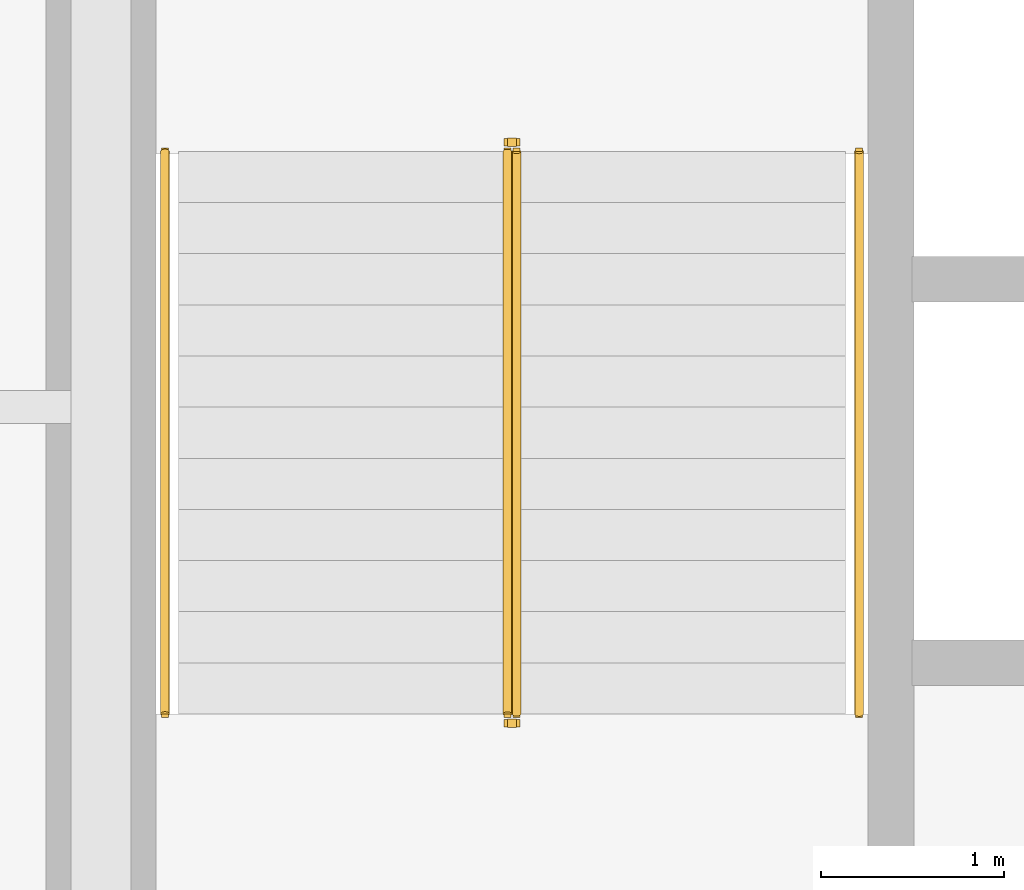
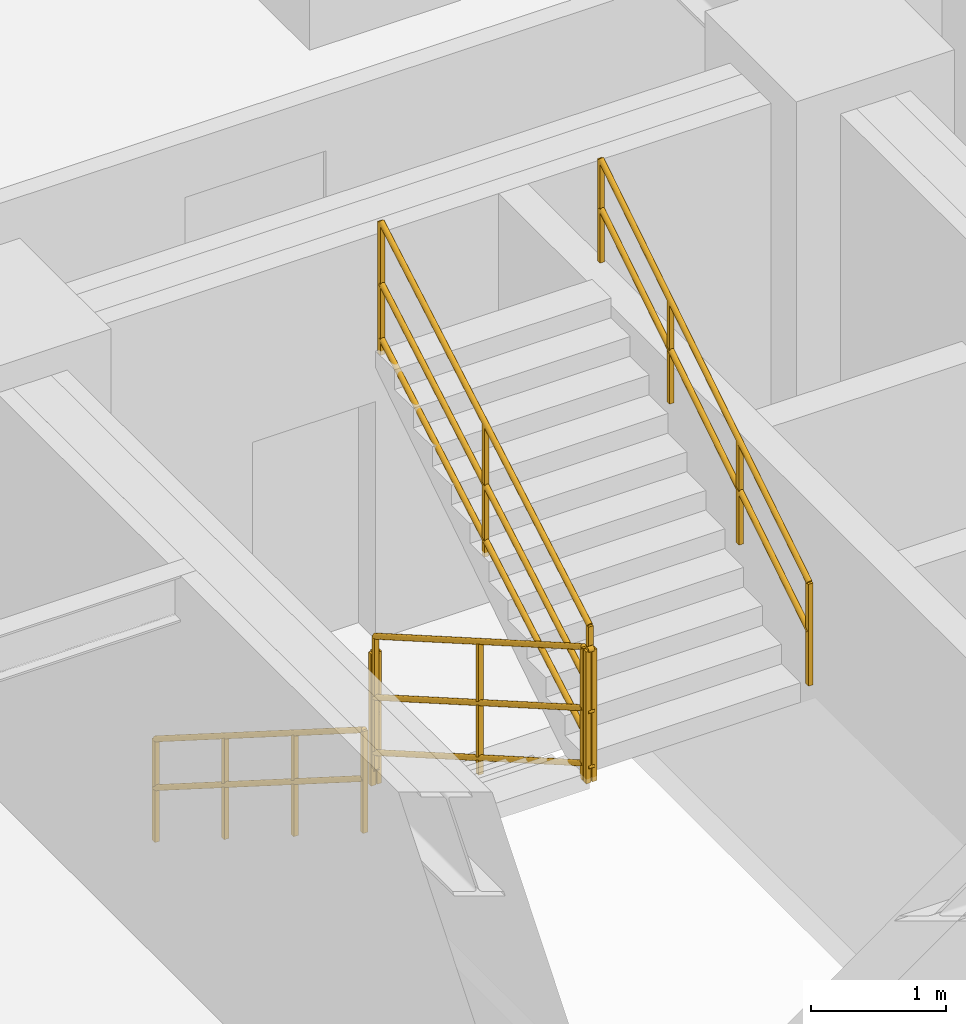
# One storey, part 10 of 10: 6 railings.
"""IFC4 building model written with IfcOpenShell, lengths in metres."""

from ifc_helpers import new_model, entity, si_unit, converted_unit, direction, frame, origin_with_axes, origin_2d_with_axis, place, context, subcontext, project, spatial, rectangle, circle, extrude, material, type_object, element, save


model = new_model("IFC4")

# Units and contexts
model_context = context("Model", 3, precision=1e-05, world=origin_with_axes(), true_north=direction((0.0, 1.0)))
body_context = subcontext(model_context, "Body", "Model", "MODEL_VIEW")
ifc_project = project(units=[si_unit("LENGTHUNIT", "METRE"), si_unit("AREAUNIT", "SQUARE_METRE"), si_unit("VOLUMEUNIT", "CUBIC_METRE"), converted_unit("PLANEANGLEUNIT", "DEGREE", entity("IfcPlaneAngleMeasure", 0.017453292519943295), si_unit("PLANEANGLEUNIT", "RADIAN"), dimensions=[0, 0, 0, 0, 0, 0, 0]), si_unit("MASSUNIT", "GRAM", prefix="KILO"), si_unit("THERMODYNAMICTEMPERATUREUNIT", "KELVIN")], contexts=[model_context])

# Site, building, storey
site_placement = place(None, origin_with_axes())
site = spatial("IfcSite", under=ifc_project, at=site_placement, CompositionType="ELEMENT")
building_placement = place(site_placement, origin_with_axes())
building = spatial("IfcBuilding", under=site, at=building_placement, Name="Varnlund Millrace Tower", CompositionType="ELEMENT")
storey_placement = place(building_placement, frame((0.0, 0.0, 44.4), z_axis=(0.0, 0.0, 1.0), x_axis=(1.0, 0.0, 0.0)))
storey = spatial("IfcBuildingStorey", under=building, at=storey_placement, Name="L10", CompositionType="ELEMENT", Elevation=44.4)

# Railings
ifc_material_1 = material(Name="Painted steel stair well balustrade guard", Category="steel")
railing_type_1 = type_object("IfcRailingType", Name="Type-StairGuard-1150", PredefinedType="GUARDRAIL", material=ifc_material_1)
railing_1_placement = place(storey_placement, frame((0.0, 0.0, -44.4), z_axis=(0.0, 0.0, 1.0), x_axis=(1.0, 0.0, 0.0)))
element("IfcRailing", 1, at=railing_1_placement, inside=storey, type_object=railing_type_1, Name="Type-StairGuard-1150", PredefinedType="GUARDRAIL", context=body_context, shape_type="SweptSolid", body=[
    extrude(circle(Radius=0.024, at=origin_2d_with_axis()), frame((13.625, 35.9, 45.727273), z_axis=(0.0, -0.866696, 0.498836), x_axis=(1.0, 0.0, 0.0)), (0.0, 0.0, 1.0), 3.553725),
    extrude(circle(Radius=0.024, at=origin_2d_with_axis()), frame((13.625, 35.9, 44.677273), z_axis=(0.0, -0.866696, 0.498836), x_axis=(1.0, 0.0, 0.0)), (0.0, 0.0, 1.0), 3.553725),
    extrude(circle(Radius=0.024, at=origin_2d_with_axis()), frame((13.625, 35.9, 45.175273), z_axis=(0.0, -0.866696, 0.498836), x_axis=(1.0, 0.0, 0.0)), (0.0, 0.0, 1.0), 3.553725),
    extrude(rectangle(XDim=0.04, YDim=0.04, at=origin_2d_with_axis()), frame((13.625, 35.9, 44.537273), z_axis=(0.0, 0.0, 1.0), x_axis=(1.0, 0.0, 0.0)), (0.0, 0.0, 1.0), 1.19),
    extrude(rectangle(XDim=0.04, YDim=0.04, at=origin_2d_with_axis()), frame((13.625, 34.36, 45.423636), z_axis=(0.0, 0.0, 1.0), x_axis=(1.0, 0.0, 0.0)), (0.0, 0.0, 1.0), 1.19),
    extrude(rectangle(XDim=0.04, YDim=0.04, at=origin_2d_with_axis()), frame((13.625, 32.82, 46.31), z_axis=(0.0, 0.0, 1.0), x_axis=(1.0, 0.0, 0.0)), (0.0, 0.0, 1.0), 1.19),
])
railing_2_placement = place(storey_placement, frame((0.0, 0.0, -44.4), z_axis=(0.0, 0.0, 1.0), x_axis=(1.0, 0.0, 0.0)))
element("IfcRailing", 2, at=railing_2_placement, inside=storey, type_object=railing_type_1, Name="Type-StairGuard-1150", PredefinedType="GUARDRAIL", context=body_context, shape_type="SweptSolid", body=[
    extrude(circle(Radius=0.024, at=origin_2d_with_axis()), frame((13.675, 32.77, 47.5), z_axis=(-1.0, 0.0, 0.0), x_axis=(0.0, -1.0, 0.0)), (0.0, 0.0, 1.0), 0.05),
    extrude(circle(Radius=0.024, at=origin_2d_with_axis()), frame((13.675, 32.77, 46.45), z_axis=(-1.0, 0.0, 0.0), x_axis=(0.0, -1.0, 0.0)), (0.0, 0.0, 1.0), 0.05),
    extrude(circle(Radius=0.024, at=origin_2d_with_axis()), frame((13.675, 32.77, 46.948), z_axis=(-1.0, 0.0, 0.0), x_axis=(0.0, -1.0, 0.0)), (0.0, 0.0, 1.0), 0.05),
    extrude(rectangle(XDim=0.04, YDim=0.04, at=origin_2d_with_axis()), frame((13.675, 32.77, 46.31), z_axis=(0.0, 0.0, 1.0), x_axis=(1.0, 0.0, 0.0)), (0.0, 0.0, 1.0), 1.19),
    extrude(rectangle(XDim=0.04, YDim=0.04, at=origin_2d_with_axis()), frame((13.625, 32.77, 46.31), z_axis=(0.0, 0.0, 1.0), x_axis=(1.0, 0.0, 0.0)), (0.0, 0.0, 1.0), 1.19),
])
railing_3_placement = place(storey_placement, frame((0.0, 0.0, -44.4), z_axis=(0.0, 0.0, 1.0), x_axis=(1.0, 0.0, 0.0)))
element("IfcRailing", 3, at=railing_3_placement, inside=storey, type_object=railing_type_1, Name="Type-StairGuard-1150", PredefinedType="GUARDRAIL", context=body_context, shape_type="SweptSolid", body=[
    extrude(circle(Radius=0.024, at=origin_2d_with_axis()), frame((13.675, 32.82, 47.677273), z_axis=(0.0, 0.866696, 0.498836), x_axis=(-1.0, 0.0, 0.0)), (0.0, 0.0, 1.0), 3.553725),
    extrude(circle(Radius=0.024, at=origin_2d_with_axis()), frame((13.675, 32.82, 46.627273), z_axis=(0.0, 0.866696, 0.498836), x_axis=(-1.0, 0.0, 0.0)), (0.0, 0.0, 1.0), 3.553725),
    extrude(circle(Radius=0.024, at=origin_2d_with_axis()), frame((13.675, 32.82, 47.125273), z_axis=(0.0, 0.866696, 0.498836), x_axis=(-1.0, 0.0, 0.0)), (0.0, 0.0, 1.0), 3.553725),
    extrude(rectangle(XDim=0.04, YDim=0.04, at=origin_2d_with_axis()), frame((13.675, 32.82, 46.487273), z_axis=(0.0, 0.0, 1.0), x_axis=(1.0, 0.0, 0.0)), (0.0, 0.0, 1.0), 1.19),
    extrude(rectangle(XDim=0.04, YDim=0.04, at=origin_2d_with_axis()), frame((13.675, 34.36, 47.373636), z_axis=(0.0, 0.0, 1.0), x_axis=(1.0, 0.0, 0.0)), (0.0, 0.0, 1.0), 1.19),
    extrude(rectangle(XDim=0.04, YDim=0.04, at=origin_2d_with_axis()), frame((13.675, 35.9, 48.26), z_axis=(0.0, 0.0, 1.0), x_axis=(1.0, 0.0, 0.0)), (0.0, 0.0, 1.0), 1.19),
])
railing_4_placement = place(storey_placement, frame((0.0, 0.0, -44.4), z_axis=(0.0, 0.0, 1.0), x_axis=(1.0, 0.0, 0.0)))
element("IfcRailing", 4, at=railing_4_placement, inside=storey, type_object=railing_type_1, Name="Type-StairGuard-1150", PredefinedType="GUARDRAIL", context=body_context, shape_type="SweptSolid", body=[
    extrude(circle(Radius=0.024, at=origin_2d_with_axis()), frame((13.675, 35.95, 45.55), z_axis=(-1.0, 0.0, 0.0), x_axis=(0.0, -1.0, 0.0)), (0.0, 0.0, 1.0), 0.05),
    extrude(circle(Radius=0.024, at=origin_2d_with_axis()), frame((13.675, 35.95, 44.5), z_axis=(-1.0, 0.0, 0.0), x_axis=(0.0, -1.0, 0.0)), (0.0, 0.0, 1.0), 0.05),
    extrude(circle(Radius=0.024, at=origin_2d_with_axis()), frame((13.675, 35.95, 44.998), z_axis=(-1.0, 0.0, 0.0), x_axis=(0.0, -1.0, 0.0)), (0.0, 0.0, 1.0), 0.05),
    extrude(rectangle(XDim=0.04, YDim=0.04, at=origin_2d_with_axis()), frame((13.675, 35.95, 44.36), z_axis=(0.0, 0.0, 1.0), x_axis=(1.0, 0.0, 0.0)), (0.0, 0.0, 1.0), 1.19),
    extrude(rectangle(XDim=0.04, YDim=0.04, at=origin_2d_with_axis()), frame((13.625, 35.95, 44.36), z_axis=(0.0, 0.0, 1.0), x_axis=(1.0, 0.0, 0.0)), (0.0, 0.0, 1.0), 1.19),
])
ifc_material_2 = material(Name="Brushed architectural bronze stair handrail", Category="aluminium")
railing_type_2 = type_object("IfcRailingType", Name="Type-StairHandrail-900", PredefinedType="HANDRAIL", material=ifc_material_2)
railing_5_placement = place(storey_placement, frame((0.0, 0.0, -44.4), z_axis=(0.0, 0.0, 1.0), x_axis=(1.0, 0.0, 0.0)))
element("IfcRailing", 5, at=railing_5_placement, inside=storey, type_object=railing_type_2, Name="Type-StairHandrail-900", PredefinedType="HANDRAIL", context=body_context, shape_type="SweptSolid", body=[
    extrude(circle(Radius=0.024, at=origin_2d_with_axis()), frame((11.75, 35.9, 45.456995), z_axis=(0.0, -0.844902, 0.534922), x_axis=(1.0, 0.0, 0.0)), (0.0, 0.0, 1.0), 3.645394),
    extrude(circle(Radius=0.024, at=origin_2d_with_axis()), frame((11.75, 35.9, 45.017134), z_axis=(0.0, -0.844902, 0.534922), x_axis=(1.0, 0.0, 0.0)), (0.0, 0.0, 1.0), 3.645394),
    extrude(rectangle(XDim=0.04, YDim=0.04, at=origin_2d_with_axis()), frame((11.75, 35.9, 44.537273), z_axis=(0.0, 0.0, 1.0), x_axis=(1.0, 0.0, 0.0)), (0.0, 0.0, 1.0), 0.919722),
    extrude(rectangle(XDim=0.04, YDim=0.04, at=origin_2d_with_axis()), frame((11.75, 34.873333, 45.187273), z_axis=(0.0, 0.0, 1.0), x_axis=(1.0, 0.0, 0.0)), (0.0, 0.0, 1.0), 0.919722),
    extrude(rectangle(XDim=0.04, YDim=0.04, at=origin_2d_with_axis()), frame((11.75, 33.846667, 45.837273), z_axis=(0.0, 0.0, 1.0), x_axis=(1.0, 0.0, 0.0)), (0.0, 0.0, 1.0), 0.919722),
    extrude(rectangle(XDim=0.04, YDim=0.04, at=origin_2d_with_axis()), frame((11.75, 32.82, 46.487273), z_axis=(0.0, 0.0, 1.0), x_axis=(1.0, 0.0, 0.0)), (0.0, 0.0, 1.0), 0.919722),
])
railing_6_placement = place(storey_placement, frame((0.0, 0.0, -44.4), z_axis=(0.0, 0.0, 1.0), x_axis=(1.0, 0.0, 0.0)))
element("IfcRailing", 6, at=railing_6_placement, inside=storey, type_object=railing_type_2, Name="Type-StairHandrail-900", PredefinedType="HANDRAIL", context=body_context, shape_type="SweptSolid", body=[
    extrude(circle(Radius=0.024, at=origin_2d_with_axis()), frame((15.55, 32.82, 47.406995), z_axis=(0.0, 0.844902, 0.534922), x_axis=(-1.0, 0.0, 0.0)), (0.0, 0.0, 1.0), 3.645394),
    extrude(circle(Radius=0.024, at=origin_2d_with_axis()), frame((15.55, 32.82, 46.967134), z_axis=(0.0, 0.844902, 0.534922), x_axis=(-1.0, 0.0, 0.0)), (0.0, 0.0, 1.0), 3.645394),
    extrude(rectangle(XDim=0.04, YDim=0.04, at=origin_2d_with_axis()), frame((15.55, 32.82, 46.487273), z_axis=(0.0, 0.0, 1.0), x_axis=(1.0, 0.0, 0.0)), (0.0, 0.0, 1.0), 0.919722),
    extrude(rectangle(XDim=0.04, YDim=0.04, at=origin_2d_with_axis()), frame((15.55, 33.846667, 47.137273), z_axis=(0.0, 0.0, 1.0), x_axis=(1.0, 0.0, 0.0)), (0.0, 0.0, 1.0), 0.919722),
    extrude(rectangle(XDim=0.04, YDim=0.04, at=origin_2d_with_axis()), frame((15.55, 34.873333, 47.787273), z_axis=(0.0, 0.0, 1.0), x_axis=(1.0, 0.0, 0.0)), (0.0, 0.0, 1.0), 0.919722),
    extrude(rectangle(XDim=0.04, YDim=0.04, at=origin_2d_with_axis()), frame((15.55, 35.9, 48.437273), z_axis=(0.0, 0.0, 1.0), x_axis=(1.0, 0.0, 0.0)), (0.0, 0.0, 1.0), 0.919722),
])

save(model, "model.ifc")
